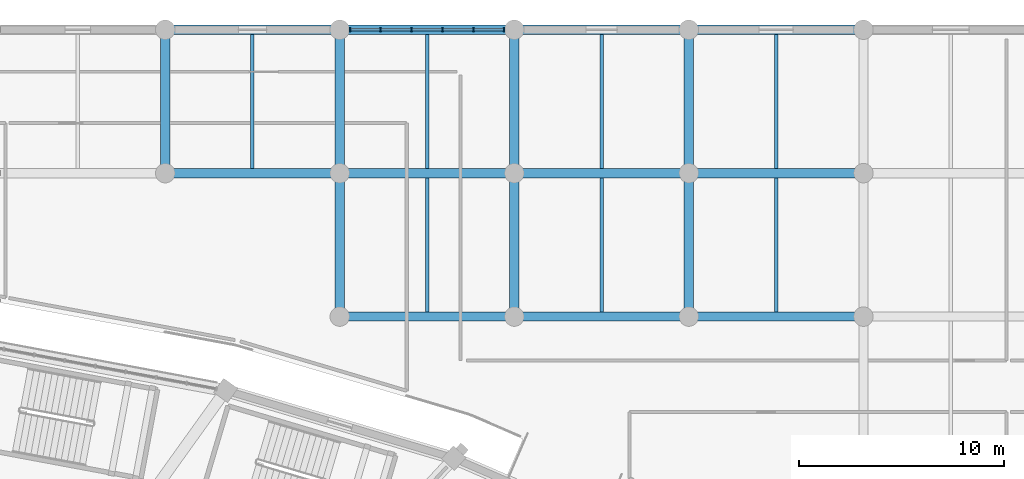
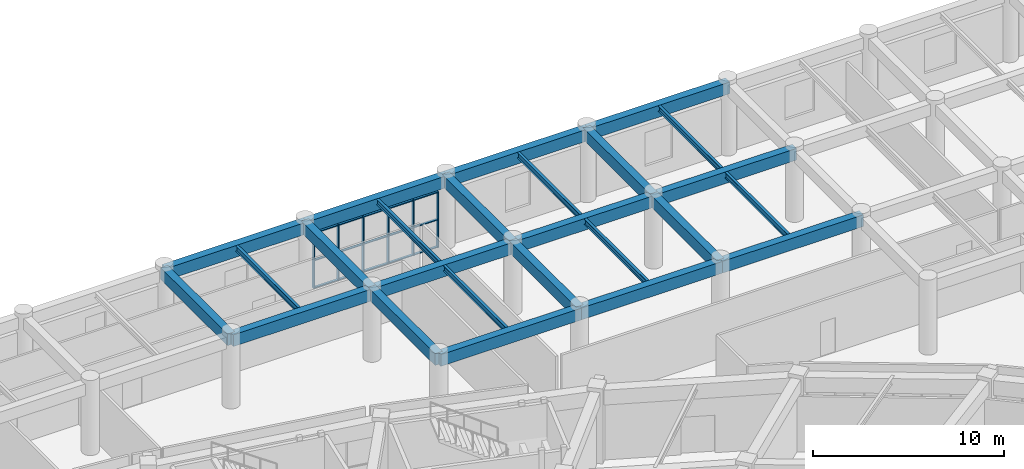
# One storey, part 74 of 152: 25 beams, 21 members, 1 element without a shape of its own.
"""IFC4 building model written with IfcOpenShell, lengths in metres."""

import ifcopenshell
import ifcopenshell.guid

model = None  # the IFC model being written
_history = None  # IfcOwnerHistory: only IFC2X3 demands one
_inside = {}  # id of a spatial element -> (the spatial element, [elements in it])
_under = {}  # id of a project, library or spatial element -> (it, [spatial elements below it])
_declared = {}  # id of a project -> (the project, [libraries it declares])
_typed = {}  # id of a type object -> (the type object, [elements of that type])
_made_of = {}  # id of a material, layer set ... -> (it, [elements and type objects made of it])


def new_model(schema):
    """Start an empty IFC model of exactly this schema.

    Asked for "IFC4X3", IfcOpenShell would pick the latest addendum, in which some entities
    have other attributes; the version numbers below select the first issue.
    IFC2X3 requires an IfcOwnerHistory on every rooted entity: one is made here for all.
    """
    global model, _history
    if schema == "IFC4X3":
        model = ifcopenshell.file(schema_version=(4, 3, 0, 0))
    else:
        model = ifcopenshell.file(schema=schema)
    _inside.clear()
    _under.clear()
    _declared.clear()
    _typed.clear()
    _made_of.clear()
    _history = None
    if model.schema == "IFC2X3":
        org = make("IfcOrganization", Name="unknown")
        user = make(
            "IfcPersonAndOrganization",
            ThePerson=make("IfcPerson", FamilyName="unknown"),
            TheOrganization=org,
        )
        app = make(
            "IfcApplication",
            ApplicationDeveloper=org,
            Version="unknown",
            ApplicationFullName="unknown",
            ApplicationIdentifier="unknown",
        )
        _history = make(
            "IfcOwnerHistory",
            OwningUser=user,
            OwningApplication=app,
            ChangeAction="ADDED",
            CreationDate=0,
        )
    return model


def make(cls, **values):
    """One entity of the class cls with the attributes given. An attribute that is None is left unset."""
    return model.create_entity(
        cls, **{name: value for name, value in values.items() if value is not None}
    )


def rooted(cls, **values):
    """An entity with a GlobalId (a new one), such as an element, a storey or a relation."""
    return make(cls, GlobalId=ifcopenshell.guid.new(), OwnerHistory=_history, **values)


def si_unit(unit_type, name, prefix=None):
    """IfcSIUnit, for example si_unit("LENGTHUNIT", "METRE", prefix="MILLI")."""
    return make("IfcSIUnit", UnitType=unit_type, Prefix=prefix, Name=name)


def assignment(units):
    """IfcUnitAssignment: the units of a project."""
    return None if units is None else make("IfcUnitAssignment", Units=units)


def point(xyz):
    """IfcCartesianPoint."""
    return None if xyz is None else make("IfcCartesianPoint", Coordinates=xyz)


def direction(xyz):
    """IfcDirection."""
    return None if xyz is None else make("IfcDirection", DirectionRatios=xyz)


def frame(location, z_axis=None, x_axis=None):
    """IfcAxis2Placement3D, a coordinate frame: its origin and axes. An axis left out is left unset."""
    return make(
        "IfcAxis2Placement3D",
        Location=point(location),
        Axis=direction(z_axis),
        RefDirection=direction(x_axis),
    )


def frame_2d(location, x_axis=None):
    """IfcAxis2Placement2D, a coordinate frame in the plane: its origin and x axis."""
    return make(
        "IfcAxis2Placement2D", Location=point(location), RefDirection=direction(x_axis)
    )


def origin():
    """The frame at (0, 0, 0) with its axes left unset."""
    return frame((0.0, 0.0, 0.0))


def origin_2d():
    """The frame at (0, 0) in the plane with its x axis left unset."""
    return frame_2d((0.0, 0.0))


def place(relative_to, where):
    """IfcLocalPlacement: puts the frame where relative to a parent placement (None: the world)."""
    return make(
        "IfcLocalPlacement", PlacementRelTo=relative_to, RelativePlacement=where
    )


def context(
    kind, dimensions, precision=None, world=None, true_north=None, identifier=None
):
    """IfcGeometricRepresentationContext, for example the 3D "Model" context."""
    return make(
        "IfcGeometricRepresentationContext",
        ContextIdentifier=identifier,
        ContextType=kind,
        CoordinateSpaceDimension=dimensions,
        Precision=precision,
        WorldCoordinateSystem=world,
        TrueNorth=true_north,
    )


def subcontext(parent, identifier, kind, view, scale=None):
    """IfcGeometricRepresentationSubContext, for example "Body" below "Model"."""
    return make(
        "IfcGeometricRepresentationSubContext",
        ContextIdentifier=identifier,
        ContextType=kind,
        ParentContext=parent,
        TargetScale=scale,
        TargetView=view,
    )


def project(units=None, contexts=None):
    """IfcProject with its units and contexts."""
    return rooted(
        "IfcProject",
        Name="project",
        RepresentationContexts=contexts,
        UnitsInContext=assignment(units),
    )


def spatial(cls, under=None, at=None, **own):
    """A site, building, storey or space (cls), placed at a placement, below another one or the project."""
    s = rooted(cls, ObjectPlacement=at, **own)
    if under is not None:
        _under.setdefault(under.id(), (under, []))[1].append(s)
    return s


def profile(cls, at=None, kind="AREA", **sizes):
    """A parametric profile (cls). Its sizes go by their IFC names, for example OverallWidth=200.0."""
    return make(cls, ProfileType=kind, Position=at, **sizes)


def rectangle(**sizes):
    """IfcRectangleProfileDef."""
    return profile("IfcRectangleProfileDef", **sizes)


def i_section(**sizes):
    """IfcIShapeProfileDef."""
    return profile("IfcIShapeProfileDef", **sizes)


def extrude(swept, where, along, depth):
    """IfcExtrudedAreaSolid: the profile swept, set in the frame where, extruded along a direction by depth."""
    return make(
        "IfcExtrudedAreaSolid",
        SweptArea=swept,
        Position=where,
        ExtrudedDirection=direction(along),
        Depth=depth,
    )


def shape(context_of_items, identifier, shape_type, items):
    """IfcShapeRepresentation: the items that make up one representation, for example the "Body"."""
    return make(
        "IfcShapeRepresentation",
        ContextOfItems=context_of_items,
        RepresentationIdentifier=identifier,
        RepresentationType=shape_type,
        Items=items,
    )


def material(Name=None, Category=None):
    """IfcMaterial."""
    return make("IfcMaterial", Name=Name, Category=Category)


def layer(
    of_material, thickness, ventilated=None, Name=None, Category=None, Priority=None
):
    """IfcMaterialLayer: one layer of a wall or slab, of a material (None: an air gap)."""
    return make(
        "IfcMaterialLayer",
        Material=of_material,
        LayerThickness=thickness,
        IsVentilated=ventilated,
        Name=Name,
        Category=Category,
        Priority=Priority,
    )


def layer_set(layers, Name=None):
    """IfcMaterialLayerSet."""
    return make("IfcMaterialLayerSet", MaterialLayers=layers, LayerSetName=Name)


def material_profile(
    of_material, cross_section, Name=None, Category=None, Priority=None
):
    """IfcMaterialProfile: a cross section and its material."""
    return make(
        "IfcMaterialProfile",
        Name=Name,
        Material=of_material,
        Profile=cross_section,
        Priority=Priority,
        Category=Category,
    )


def profile_set(profiles, Name=None, composite=None):
    """IfcMaterialProfileSet."""
    return make(
        "IfcMaterialProfileSet",
        Name=Name,
        MaterialProfiles=profiles,
        CompositeProfile=composite,
    )


def made_of(thing, what):
    """Note that an element or type object is made of a material, layer set ...; save() writes the relation."""
    if what is not None:
        _made_of.setdefault(what.id(), (what, []))[1].append(thing)
    return thing


def type_object(cls, material=None, **own):
    """A type object (cls), such as IfcWallType, which elements share."""
    return made_of(rooted(cls, **own), material)


def element(
    cls,
    number,
    at=None,
    inside=None,
    cuts=None,
    type_object=None,
    material=None,
    context=None,
    identifier="Body",
    shape_type=None,
    held_by="IfcProductDefinitionShape",
    body=None,
    shapes=None,
    **own,
):
    """One element of the class cls, such as IfcWall. Its Tag is "e" and its number.

    at: its placement. inside: the storey or other place that contains it. cuts: it is an
    opening in that element (IfcRelVoidsElement). A single representation is given by context,
    identifier, shape_type and body (its items); several are given by shapes. held_by: the class
    of the entity that holds the representations. save() writes the other relations.
    """
    e = rooted(cls, Tag="e%d" % number, ObjectPlacement=at, **own)
    if body is not None:
        shapes = [shape(context, identifier, shape_type, body)]
    if shapes is not None:
        e.Representation = make(held_by, Representations=shapes)
    if inside is not None:
        _inside.setdefault(inside.id(), (inside, []))[1].append(e)
    if cuts is not None:
        rooted(
            "IfcRelVoidsElement", RelatingBuildingElement=cuts, RelatedOpeningElement=e
        )
    if type_object is not None:
        _typed.setdefault(type_object.id(), (type_object, []))[1].append(e)
    return made_of(e, material)


def aggregate(whole, parts):
    """IfcRelAggregates: a whole, such as a stair, and the parts it consists of."""
    return rooted("IfcRelAggregates", RelatingObject=whole, RelatedObjects=parts)


def save(model, path):
    """Write the relations noted so far, then the file.

    IfcRelAggregates (storeys below a building ...), IfcRelContainedInSpatialStructure (elements
    in a storey), IfcRelDefinesByType, IfcRelAssociatesMaterial and IfcRelDeclares: one each for
    every whole, place, type object, material and project.
    """
    for whole, parts in _under.values():
        aggregate(whole, parts)
    for where, things in _inside.values():
        rooted(
            "IfcRelContainedInSpatialStructure",
            RelatedElements=things,
            RelatingStructure=where,
        )
    for kind, things in _typed.values():
        rooted("IfcRelDefinesByType", RelatedObjects=things, RelatingType=kind)
    for what, things in _made_of.values():
        rooted("IfcRelAssociatesMaterial", RelatedObjects=things, RelatingMaterial=what)
    for by, libraries in _declared.values():
        rooted("IfcRelDeclares", RelatingContext=by, RelatedDefinitions=libraries)
    model.write(path)


model = new_model("IFC4")

# Units and contexts
model_context = context("Model", 3, precision=1e-05, world=origin(), true_north=direction((0.0, 1.0)))
body_context = subcontext(model_context, "Body", "Model", "MODEL_VIEW")
ifc_project = project(units=[si_unit("LENGTHUNIT", "METRE"), si_unit("AREAUNIT", "SQUARE_METRE"), si_unit("VOLUMEUNIT", "CUBIC_METRE"), si_unit("PLANEANGLEUNIT", "RADIAN"), si_unit("MASSUNIT", "GRAM", prefix="KILO")], contexts=[model_context])

# Site, building, storey
site_placement = place(None, origin())
site = spatial("IfcSite", under=ifc_project, at=site_placement, CompositionType="ELEMENT")
building_placement = place(site_placement, origin())
building = spatial("IfcBuilding", under=site, at=building_placement, Name="Mphavela Belvedere Stadium", CompositionType="ELEMENT")
storey_placement = place(building_placement, frame((0.0, 0.0, 5.39990234375)))
storey = spatial("IfcBuildingStorey", under=building, at=storey_placement, Name="L01", CompositionType="ELEMENT", Elevation=5.39990234375)

# Beams
ifc_material_1 = material(Name="Steel S355", Category="steel")
ifc_material_profile_1 = material_profile(ifc_material_1, i_section(OverallWidth=0.169921875, OverallDepth=0.360107421875, WebThickness=0.008056640625, FlangeThickness=0.0126953125, at=origin_2d()), Name="IPE 360")
ifc_profile_set_1 = profile_set([ifc_material_profile_1], Name="Steel S355")
beam_type_1 = type_object("IfcBeamType", Name="BM-JOIST-IPE360", PredefinedType="JOIST", material=ifc_profile_set_1)
for number, where, z_axis, x_axis, name in (
    (1, (166.111083984375, 167.22509765625, 4.360107421875), (0.0, 1.0, 0.0), (-1.0, 0.0, 0.0), "North Mast and Ceremonial End Forecourt secondary joist L01 20-7"),
    (2, (174.62939453125, 160.22509765625, 4.360107421875), (0.0, 1.0, 0.0), (-1.0, 0.0, 0.0), "North Mast and Ceremonial End Forecourt secondary joist L01 21-6"),
    (3, (174.62939453125, 167.22509765625, 4.360107421875), (0.0, 1.0, 0.0), (-1.0, 0.0, 0.0), "North Mast and Ceremonial End Forecourt secondary joist L01 21-7"),
    (4, (183.14794921875, 160.22509765625, 4.360107421875), (0.0, 1.0, 0.0), (-1.0, 0.0, 0.0), "North Mast and Ceremonial End Forecourt secondary joist L01 22-6"),
    (5, (183.14794921875, 167.22509765625, 4.360107421875), (0.0, 1.0, 0.0), (-1.0, 0.0, 0.0), "North Mast and Ceremonial End Forecourt secondary joist L01 22-7"),
    (6, (191.66650390625, 160.22509765625, 4.360107421875), (0.0, 1.0, 0.0), (-1.0, 0.0, 0.0), "North Mast and Ceremonial End Forecourt secondary joist L01 23-6"),
    (7, (191.66650390625, 167.22509765625, 4.360107421875), (0.0, 1.0, 0.0), (-1.0, 0.0, 0.0), "North Mast and Ceremonial End Forecourt secondary joist L01 23-7"),
):
    element("IfcBeam", number, at=place(storey_placement, frame(where, z_axis=z_axis, x_axis=x_axis)), inside=storey, type_object=beam_type_1, Name=name, PredefinedType="JOIST", context=body_context, shape_type="SweptSolid", body=[
        extrude(i_section(OverallWidth=0.169921875, OverallDepth=0.360107421875, WebThickness=0.008056640625, FlangeThickness=0.0126953125, at=origin_2d()), origin(), (0.0, 0.0, 1.0), 6.5498046875),
    ])
ifc_material_2 = material(Name="Concrete C40/50", Category="concrete")
ifc_material_profile_2 = material_profile(ifc_material_2, rectangle(XDim=0.449951171875, YDim=0.75, at=origin_2d()), Name="RC 450x750")
ifc_profile_set_2 = profile_set([ifc_material_profile_2], Name="Concrete C40/50")
beam_type_2 = type_object("IfcBeamType", Name="BM-RC450x750", PredefinedType="BEAM", material=ifc_profile_set_2)
beam_1_placement = place(storey_placement, frame((161.85205078125, 167.0, 4.1650390625), z_axis=(1.0, 0.0, 0.0), x_axis=(0.0, 1.0, 0.0)))
element("IfcBeam", 8, at=beam_1_placement, inside=storey, type_object=beam_type_2, Name="North Mast and Ceremonial End Forecourt entablature beam X L01 20-7", PredefinedType="BEAM", context=body_context, shape_type="SweptSolid", body=[
    extrude(rectangle(XDim=0.449951171875, YDim=0.75, at=origin_2d()), origin(), (0.0, 0.0, 1.0), 8.51806640625),
])
beam_2_placement = place(storey_placement, frame((161.85205078125, 167.0, 4.1650390625), z_axis=(0.0, 1.0, 0.0), x_axis=(-1.0, 0.0, 0.0)))
element("IfcBeam", 9, at=beam_2_placement, inside=storey, type_object=beam_type_2, Name="North Mast and Ceremonial End Forecourt entablature beam Y L01 20-7", PredefinedType="BEAM", context=body_context, shape_type="SweptSolid", body=[
    extrude(rectangle(XDim=0.449951171875, YDim=0.75, at=origin_2d()), origin(), (0.0, 0.0, 1.0), 7.0),
])
beam_3_placement = place(storey_placement, frame((161.85205078125, 174.0, 4.1650390625), z_axis=(1.0, 0.0, 0.0), x_axis=(0.0, 1.0, 0.0)))
element("IfcBeam", 10, at=beam_3_placement, inside=storey, type_object=beam_type_2, Name="North Mast and Ceremonial End Forecourt entablature beam X L01 20-8", PredefinedType="BEAM", context=body_context, shape_type="SweptSolid", body=[
    extrude(rectangle(XDim=0.449951171875, YDim=0.75, at=origin_2d()), origin(), (0.0, 0.0, 1.0), 8.51806640625),
])
beam_4_placement = place(storey_placement, frame((170.3701171875, 160.0, 4.1650390625), z_axis=(1.0, 0.0, 0.0), x_axis=(0.0, 1.0, 0.0)))
element("IfcBeam", 11, at=beam_4_placement, inside=storey, type_object=beam_type_2, Name="North Mast and Ceremonial End Forecourt entablature beam X L01 21-6", PredefinedType="BEAM", context=body_context, shape_type="SweptSolid", body=[
    extrude(rectangle(XDim=0.449951171875, YDim=0.75, at=origin_2d()), origin(), (0.0, 0.0, 1.0), 8.518798828125),
])
beam_5_placement = place(storey_placement, frame((170.3701171875, 160.0, 4.1650390625), z_axis=(0.0, 1.0, 0.0), x_axis=(-1.0, 0.0, 0.0)))
element("IfcBeam", 12, at=beam_5_placement, inside=storey, type_object=beam_type_2, Name="North Mast and Ceremonial End Forecourt entablature beam Y L01 21-6", PredefinedType="BEAM", context=body_context, shape_type="SweptSolid", body=[
    extrude(rectangle(XDim=0.449951171875, YDim=0.75, at=origin_2d()), origin(), (0.0, 0.0, 1.0), 7.0),
])
beam_6_placement = place(storey_placement, frame((170.3701171875, 167.0, 4.1650390625), z_axis=(1.0, 0.0, 0.0), x_axis=(0.0, 1.0, 0.0)))
element("IfcBeam", 13, at=beam_6_placement, inside=storey, type_object=beam_type_2, Name="North Mast and Ceremonial End Forecourt entablature beam X L01 21-7", PredefinedType="BEAM", context=body_context, shape_type="SweptSolid", body=[
    extrude(rectangle(XDim=0.449951171875, YDim=0.75, at=origin_2d()), origin(), (0.0, 0.0, 1.0), 8.518798828125),
])
beam_7_placement = place(storey_placement, frame((170.3701171875, 167.0, 4.1650390625), z_axis=(0.0, 1.0, 0.0), x_axis=(-1.0, 0.0, 0.0)))
element("IfcBeam", 14, at=beam_7_placement, inside=storey, type_object=beam_type_2, Name="North Mast and Ceremonial End Forecourt entablature beam Y L01 21-7", PredefinedType="BEAM", context=body_context, shape_type="SweptSolid", body=[
    extrude(rectangle(XDim=0.449951171875, YDim=0.75, at=origin_2d()), origin(), (0.0, 0.0, 1.0), 7.0),
])
beam_8_placement = place(storey_placement, frame((170.3701171875, 174.0, 4.1650390625), z_axis=(1.0, 0.0, 0.0), x_axis=(0.0, 1.0, 0.0)))
element("IfcBeam", 15, at=beam_8_placement, inside=storey, type_object=beam_type_2, Name="North Mast and Ceremonial End Forecourt entablature beam X L01 21-8", PredefinedType="BEAM", context=body_context, shape_type="SweptSolid", body=[
    extrude(rectangle(XDim=0.449951171875, YDim=0.75, at=origin_2d()), origin(), (0.0, 0.0, 1.0), 8.518798828125),
])
beam_9_placement = place(storey_placement, frame((178.888916015625, 160.0, 4.1650390625), z_axis=(1.0, 0.0, 0.0), x_axis=(0.0, 1.0, 0.0)))
element("IfcBeam", 16, at=beam_9_placement, inside=storey, type_object=beam_type_2, Name="North Mast and Ceremonial End Forecourt entablature beam X L01 22-6", PredefinedType="BEAM", context=body_context, shape_type="SweptSolid", body=[
    extrude(rectangle(XDim=0.449951171875, YDim=0.75, at=origin_2d()), origin(), (0.0, 0.0, 1.0), 8.51806640625),
])
beam_10_placement = place(storey_placement, frame((178.888916015625, 160.0, 4.1650390625), z_axis=(0.0, 1.0, 0.0), x_axis=(-1.0, 0.0, 0.0)))
element("IfcBeam", 17, at=beam_10_placement, inside=storey, type_object=beam_type_2, Name="North Mast and Ceremonial End Forecourt entablature beam Y L01 22-6", PredefinedType="BEAM", context=body_context, shape_type="SweptSolid", body=[
    extrude(rectangle(XDim=0.449951171875, YDim=0.75, at=origin_2d()), origin(), (0.0, 0.0, 1.0), 7.0),
])
beam_11_placement = place(storey_placement, frame((178.888916015625, 167.0, 4.1650390625), z_axis=(1.0, 0.0, 0.0), x_axis=(0.0, 1.0, 0.0)))
element("IfcBeam", 18, at=beam_11_placement, inside=storey, type_object=beam_type_2, Name="North Mast and Ceremonial End Forecourt entablature beam X L01 22-7", PredefinedType="BEAM", context=body_context, shape_type="SweptSolid", body=[
    extrude(rectangle(XDim=0.449951171875, YDim=0.75, at=origin_2d()), origin(), (0.0, 0.0, 1.0), 8.51806640625),
])
beam_12_placement = place(storey_placement, frame((178.888916015625, 167.0, 4.1650390625), z_axis=(0.0, 1.0, 0.0), x_axis=(-1.0, 0.0, 0.0)))
element("IfcBeam", 19, at=beam_12_placement, inside=storey, type_object=beam_type_2, Name="North Mast and Ceremonial End Forecourt entablature beam Y L01 22-7", PredefinedType="BEAM", context=body_context, shape_type="SweptSolid", body=[
    extrude(rectangle(XDim=0.449951171875, YDim=0.75, at=origin_2d()), origin(), (0.0, 0.0, 1.0), 7.0),
])
beam_13_placement = place(storey_placement, frame((178.888916015625, 174.0, 4.1650390625), z_axis=(1.0, 0.0, 0.0), x_axis=(0.0, 1.0, 0.0)))
element("IfcBeam", 20, at=beam_13_placement, inside=storey, type_object=beam_type_2, Name="North Mast and Ceremonial End Forecourt entablature beam X L01 22-8", PredefinedType="BEAM", context=body_context, shape_type="SweptSolid", body=[
    extrude(rectangle(XDim=0.449951171875, YDim=0.75, at=origin_2d()), origin(), (0.0, 0.0, 1.0), 8.51806640625),
])
beam_14_placement = place(storey_placement, frame((187.406982421875, 160.0, 4.1650390625), z_axis=(1.0, 0.0, 0.0), x_axis=(0.0, 1.0, 0.0)))
element("IfcBeam", 21, at=beam_14_placement, inside=storey, type_object=beam_type_2, Name="North Mast and Ceremonial End Forecourt entablature beam X L01 23-6", PredefinedType="BEAM", context=body_context, shape_type="SweptSolid", body=[
    extrude(rectangle(XDim=0.449951171875, YDim=0.75, at=origin_2d()), origin(), (0.0, 0.0, 1.0), 8.51904296875),
])
beam_15_placement = place(storey_placement, frame((187.406982421875, 160.0, 4.1650390625), z_axis=(0.0, 1.0, 0.0), x_axis=(-1.0, 0.0, 0.0)))
element("IfcBeam", 22, at=beam_15_placement, inside=storey, type_object=beam_type_2, Name="North Mast and Ceremonial End Forecourt entablature beam Y L01 23-6", PredefinedType="BEAM", context=body_context, shape_type="SweptSolid", body=[
    extrude(rectangle(XDim=0.449951171875, YDim=0.75, at=origin_2d()), origin(), (0.0, 0.0, 1.0), 7.0),
])
beam_16_placement = place(storey_placement, frame((187.406982421875, 167.0, 4.1650390625), z_axis=(1.0, 0.0, 0.0), x_axis=(0.0, 1.0, 0.0)))
element("IfcBeam", 23, at=beam_16_placement, inside=storey, type_object=beam_type_2, Name="North Mast and Ceremonial End Forecourt entablature beam X L01 23-7", PredefinedType="BEAM", context=body_context, shape_type="SweptSolid", body=[
    extrude(rectangle(XDim=0.449951171875, YDim=0.75, at=origin_2d()), origin(), (0.0, 0.0, 1.0), 8.51904296875),
])
beam_17_placement = place(storey_placement, frame((187.406982421875, 167.0, 4.1650390625), z_axis=(0.0, 1.0, 0.0), x_axis=(-1.0, 0.0, 0.0)))
element("IfcBeam", 24, at=beam_17_placement, inside=storey, type_object=beam_type_2, Name="North Mast and Ceremonial End Forecourt entablature beam Y L01 23-7", PredefinedType="BEAM", context=body_context, shape_type="SweptSolid", body=[
    extrude(rectangle(XDim=0.449951171875, YDim=0.75, at=origin_2d()), origin(), (0.0, 0.0, 1.0), 7.0),
])
beam_18_placement = place(storey_placement, frame((187.406982421875, 174.0, 4.1650390625), z_axis=(1.0, 0.0, 0.0), x_axis=(0.0, 1.0, 0.0)))
element("IfcBeam", 25, at=beam_18_placement, inside=storey, type_object=beam_type_2, Name="North Mast and Ceremonial End Forecourt entablature beam X L01 23-8", PredefinedType="BEAM", context=body_context, shape_type="SweptSolid", body=[
    extrude(rectangle(XDim=0.449951171875, YDim=0.75, at=origin_2d()), origin(), (0.0, 0.0, 1.0), 8.51904296875),
])

# Curtain wall, members
ifc_material_3 = material(Name="Anodised bronze unitised curtain wall framing")
ifc_layer = layer(ifc_material_3, 0.18994140625)
ifc_layer_set = layer_set([ifc_layer], Name="Anodised bronze unitised curtain wall framing")
curtain_wall_type = type_object("IfcCurtainWallType", Name="CW-UNIT-03", PredefinedType="USERDEFINED", material=ifc_layer_set)
curtain_wall_placement = place(storey_placement, origin())
curtain_wall = element("IfcCurtainWall", 26, at=curtain_wall_placement, inside=storey, type_object=curtain_wall_type, Name="North Mast and Ceremonial End Forecourt gallery curtain wall L01-21", ObjectType="UNITISED CURTAIN WALL", PredefinedType="USERDEFINED")
ifc_material_4 = material(Name="Anodised bronze extruded aluminium", Category="aluminium")
ifc_material_profile_3 = material_profile(ifc_material_4, rectangle(XDim=0.179931640625, YDim=0.06494140625, at=origin_2d()), Name="CW-MUL 180x65")
ifc_profile_set_3 = profile_set([ifc_material_profile_3], Name="Anodised bronze extruded aluminium")
member_type_1 = type_object("IfcMemberType", Name="CWM-180x65", PredefinedType="MULLION", material=ifc_profile_set_3)
member_1_placement = place(storey_placement, frame((170.87548828125, 174.0, 0.0), z_axis=(0.0, 0.0, 1.0), x_axis=(0.0, 1.0, 0.0)))
member_1 = element("IfcMember", 27, at=member_1_placement, type_object=member_type_1, Name="CW-03 mullion 1", PredefinedType="MULLION", context=body_context, shape_type="SweptSolid", body=[
    extrude(rectangle(XDim=0.179931640625, YDim=0.06494140625, at=origin_2d()), origin(), (0.0, 0.0, 1.0), 3.56005859375),
])
member_2_placement = place(storey_placement, frame((172.357666015625, 174.0, 0.0), z_axis=(0.0, 0.0, 1.0), x_axis=(0.0, 1.0, 0.0)))
member_2 = element("IfcMember", 28, at=member_2_placement, type_object=member_type_1, Name="CW-03 mullion 2", PredefinedType="MULLION", context=body_context, shape_type="SweptSolid", body=[
    extrude(rectangle(XDim=0.179931640625, YDim=0.06494140625, at=origin_2d()), origin(), (0.0, 0.0, 1.0), 3.56005859375),
])
member_3_placement = place(storey_placement, frame((173.872314453125, 174.0, 0.0), z_axis=(0.0, 0.0, 1.0), x_axis=(0.0, 1.0, 0.0)))
member_3 = element("IfcMember", 29, at=member_3_placement, type_object=member_type_1, Name="CW-03 mullion 3", PredefinedType="MULLION", context=body_context, shape_type="SweptSolid", body=[
    extrude(rectangle(XDim=0.179931640625, YDim=0.06494140625, at=origin_2d()), origin(), (0.0, 0.0, 1.0), 3.56005859375),
])
member_4_placement = place(storey_placement, frame((175.38671875, 174.0, 0.0), z_axis=(0.0, 0.0, 1.0), x_axis=(0.0, 1.0, 0.0)))
member_4 = element("IfcMember", 30, at=member_4_placement, type_object=member_type_1, Name="CW-03 mullion 4", PredefinedType="MULLION", context=body_context, shape_type="SweptSolid", body=[
    extrude(rectangle(XDim=0.179931640625, YDim=0.06494140625, at=origin_2d()), origin(), (0.0, 0.0, 1.0), 3.56005859375),
])
member_5_placement = place(storey_placement, frame((176.9013671875, 174.0, 0.0), z_axis=(0.0, 0.0, 1.0), x_axis=(0.0, 1.0, 0.0)))
member_5 = element("IfcMember", 31, at=member_5_placement, type_object=member_type_1, Name="CW-03 mullion 5", PredefinedType="MULLION", context=body_context, shape_type="SweptSolid", body=[
    extrude(rectangle(XDim=0.179931640625, YDim=0.06494140625, at=origin_2d()), origin(), (0.0, 0.0, 1.0), 3.56005859375),
])
member_6_placement = place(storey_placement, frame((178.383544921875, 174.0, 0.0), z_axis=(0.0, 0.0, 1.0), x_axis=(0.0, 1.0, 0.0)))
member_6 = element("IfcMember", 32, at=member_6_placement, type_object=member_type_1, Name="CW-03 mullion 6", PredefinedType="MULLION", context=body_context, shape_type="SweptSolid", body=[
    extrude(rectangle(XDim=0.179931640625, YDim=0.06494140625, at=origin_2d()), origin(), (0.0, 0.0, 1.0), 3.56005859375),
])
ifc_material_5 = material(Name="Anodised bronze extruded aluminium", Category="aluminium")
ifc_material_profile_4 = material_profile(ifc_material_5, rectangle(XDim=0.139892578125, YDim=0.06005859375, at=origin_2d()), Name="CW-TRN 140x60")
ifc_profile_set_4 = profile_set([ifc_material_profile_4], Name="Anodised bronze extruded aluminium")
member_type_2 = type_object("IfcMemberType", Name="CWT-140x60", PredefinedType="USERDEFINED", material=ifc_profile_set_4)
member_7_placement = place(storey_placement, frame((170.907958984375, 174.0, 0.030029296875), z_axis=(1.0, 0.0, 0.0), x_axis=(0.0, 1.0, 0.0)))
member_7 = element("IfcMember", 33, at=member_7_placement, type_object=member_type_2, Name="CW-03 transom 1.1", ObjectType="TRANSOM", PredefinedType="USERDEFINED", context=body_context, shape_type="SweptSolid", body=[
    extrude(rectangle(XDim=0.139892578125, YDim=0.06005859375, at=origin_2d()), origin(), (0.0, 0.0, 1.0), 1.417236328125),
])
member_8_placement = place(storey_placement, frame((170.907958984375, 174.0, 1.780029296875), z_axis=(1.0, 0.0, 0.0), x_axis=(0.0, 1.0, 0.0)))
member_8 = element("IfcMember", 34, at=member_8_placement, type_object=member_type_2, Name="CW-03 transom 1.2", ObjectType="TRANSOM", PredefinedType="USERDEFINED", context=body_context, shape_type="SweptSolid", body=[
    extrude(rectangle(XDim=0.139892578125, YDim=0.06005859375, at=origin_2d()), origin(), (0.0, 0.0, 1.0), 1.417236328125),
])
member_9_placement = place(storey_placement, frame((170.907958984375, 174.0, 3.530029296875), z_axis=(1.0, 0.0, 0.0), x_axis=(0.0, 1.0, 0.0)))
member_9 = element("IfcMember", 35, at=member_9_placement, type_object=member_type_2, Name="CW-03 transom 1.3", ObjectType="TRANSOM", PredefinedType="USERDEFINED", context=body_context, shape_type="SweptSolid", body=[
    extrude(rectangle(XDim=0.139892578125, YDim=0.06005859375, at=origin_2d()), origin(), (0.0, 0.0, 1.0), 1.417236328125),
])
member_10_placement = place(storey_placement, frame((172.39013671875, 174.0, 0.030029296875), z_axis=(1.0, 0.0, 0.0), x_axis=(0.0, 1.0, 0.0)))
member_10 = element("IfcMember", 36, at=member_10_placement, type_object=member_type_2, Name="CW-03 transom 2.1", ObjectType="TRANSOM", PredefinedType="USERDEFINED", context=body_context, shape_type="SweptSolid", body=[
    extrude(rectangle(XDim=0.139892578125, YDim=0.06005859375, at=origin_2d()), origin(), (0.0, 0.0, 1.0), 1.449462890625),
])
member_11_placement = place(storey_placement, frame((172.39013671875, 174.0, 1.780029296875), z_axis=(1.0, 0.0, 0.0), x_axis=(0.0, 1.0, 0.0)))
member_11 = element("IfcMember", 37, at=member_11_placement, type_object=member_type_2, Name="CW-03 transom 2.2", ObjectType="TRANSOM", PredefinedType="USERDEFINED", context=body_context, shape_type="SweptSolid", body=[
    extrude(rectangle(XDim=0.139892578125, YDim=0.06005859375, at=origin_2d()), origin(), (0.0, 0.0, 1.0), 1.449462890625),
])
member_12_placement = place(storey_placement, frame((172.39013671875, 174.0, 3.530029296875), z_axis=(1.0, 0.0, 0.0), x_axis=(0.0, 1.0, 0.0)))
member_12 = element("IfcMember", 38, at=member_12_placement, type_object=member_type_2, Name="CW-03 transom 2.3", ObjectType="TRANSOM", PredefinedType="USERDEFINED", context=body_context, shape_type="SweptSolid", body=[
    extrude(rectangle(XDim=0.139892578125, YDim=0.06005859375, at=origin_2d()), origin(), (0.0, 0.0, 1.0), 1.449462890625),
])
member_13_placement = place(storey_placement, frame((173.90478515625, 174.0, 0.030029296875), z_axis=(1.0, 0.0, 0.0), x_axis=(0.0, 1.0, 0.0)))
member_13 = element("IfcMember", 39, at=member_13_placement, type_object=member_type_2, Name="CW-03 transom 3.1", ObjectType="TRANSOM", PredefinedType="USERDEFINED", context=body_context, shape_type="SweptSolid", body=[
    extrude(rectangle(XDim=0.139892578125, YDim=0.06005859375, at=origin_2d()), origin(), (0.0, 0.0, 1.0), 1.449462890625),
])
member_14_placement = place(storey_placement, frame((173.90478515625, 174.0, 1.780029296875), z_axis=(1.0, 0.0, 0.0), x_axis=(0.0, 1.0, 0.0)))
member_14 = element("IfcMember", 40, at=member_14_placement, type_object=member_type_2, Name="CW-03 transom 3.2", ObjectType="TRANSOM", PredefinedType="USERDEFINED", context=body_context, shape_type="SweptSolid", body=[
    extrude(rectangle(XDim=0.139892578125, YDim=0.06005859375, at=origin_2d()), origin(), (0.0, 0.0, 1.0), 1.449462890625),
])
member_15_placement = place(storey_placement, frame((173.90478515625, 174.0, 3.530029296875), z_axis=(1.0, 0.0, 0.0), x_axis=(0.0, 1.0, 0.0)))
member_15 = element("IfcMember", 41, at=member_15_placement, type_object=member_type_2, Name="CW-03 transom 3.3", ObjectType="TRANSOM", PredefinedType="USERDEFINED", context=body_context, shape_type="SweptSolid", body=[
    extrude(rectangle(XDim=0.139892578125, YDim=0.06005859375, at=origin_2d()), origin(), (0.0, 0.0, 1.0), 1.449462890625),
])
member_16_placement = place(storey_placement, frame((175.419189453125, 174.0, 0.030029296875), z_axis=(1.0, 0.0, 0.0), x_axis=(0.0, 1.0, 0.0)))
member_16 = element("IfcMember", 42, at=member_16_placement, type_object=member_type_2, Name="CW-03 transom 4.1", ObjectType="TRANSOM", PredefinedType="USERDEFINED", context=body_context, shape_type="SweptSolid", body=[
    extrude(rectangle(XDim=0.139892578125, YDim=0.06005859375, at=origin_2d()), origin(), (0.0, 0.0, 1.0), 1.44970703125),
])
member_17_placement = place(storey_placement, frame((175.419189453125, 174.0, 1.780029296875), z_axis=(1.0, 0.0, 0.0), x_axis=(0.0, 1.0, 0.0)))
member_17 = element("IfcMember", 43, at=member_17_placement, type_object=member_type_2, Name="CW-03 transom 4.2", ObjectType="TRANSOM", PredefinedType="USERDEFINED", context=body_context, shape_type="SweptSolid", body=[
    extrude(rectangle(XDim=0.139892578125, YDim=0.06005859375, at=origin_2d()), origin(), (0.0, 0.0, 1.0), 1.44970703125),
])
member_18_placement = place(storey_placement, frame((175.419189453125, 174.0, 3.530029296875), z_axis=(1.0, 0.0, 0.0), x_axis=(0.0, 1.0, 0.0)))
member_18 = element("IfcMember", 44, at=member_18_placement, type_object=member_type_2, Name="CW-03 transom 4.3", ObjectType="TRANSOM", PredefinedType="USERDEFINED", context=body_context, shape_type="SweptSolid", body=[
    extrude(rectangle(XDim=0.139892578125, YDim=0.06005859375, at=origin_2d()), origin(), (0.0, 0.0, 1.0), 1.44970703125),
])
member_19_placement = place(storey_placement, frame((176.933837890625, 174.0, 0.030029296875), z_axis=(1.0, 0.0, 0.0), x_axis=(0.0, 1.0, 0.0)))
member_19 = element("IfcMember", 45, at=member_19_placement, type_object=member_type_2, Name="CW-03 transom 5.1", ObjectType="TRANSOM", PredefinedType="USERDEFINED", context=body_context, shape_type="SweptSolid", body=[
    extrude(rectangle(XDim=0.139892578125, YDim=0.06005859375, at=origin_2d()), origin(), (0.0, 0.0, 1.0), 1.417236328125),
])
member_20_placement = place(storey_placement, frame((176.933837890625, 174.0, 1.780029296875), z_axis=(1.0, 0.0, 0.0), x_axis=(0.0, 1.0, 0.0)))
member_20 = element("IfcMember", 46, at=member_20_placement, type_object=member_type_2, Name="CW-03 transom 5.2", ObjectType="TRANSOM", PredefinedType="USERDEFINED", context=body_context, shape_type="SweptSolid", body=[
    extrude(rectangle(XDim=0.139892578125, YDim=0.06005859375, at=origin_2d()), origin(), (0.0, 0.0, 1.0), 1.417236328125),
])
member_21_placement = place(storey_placement, frame((176.933837890625, 174.0, 3.530029296875), z_axis=(1.0, 0.0, 0.0), x_axis=(0.0, 1.0, 0.0)))
member_21 = element("IfcMember", 47, at=member_21_placement, type_object=member_type_2, Name="CW-03 transom 5.3", ObjectType="TRANSOM", PredefinedType="USERDEFINED", context=body_context, shape_type="SweptSolid", body=[
    extrude(rectangle(XDim=0.139892578125, YDim=0.06005859375, at=origin_2d()), origin(), (0.0, 0.0, 1.0), 1.417236328125),
])
aggregate(curtain_wall, [member_1, member_2, member_3, member_4, member_5, member_6, member_7, member_8, member_9, member_10, member_11, member_12, member_13, member_14, member_15, member_16, member_17, member_18, member_19, member_20, member_21])

save(model, "model.ifc")
